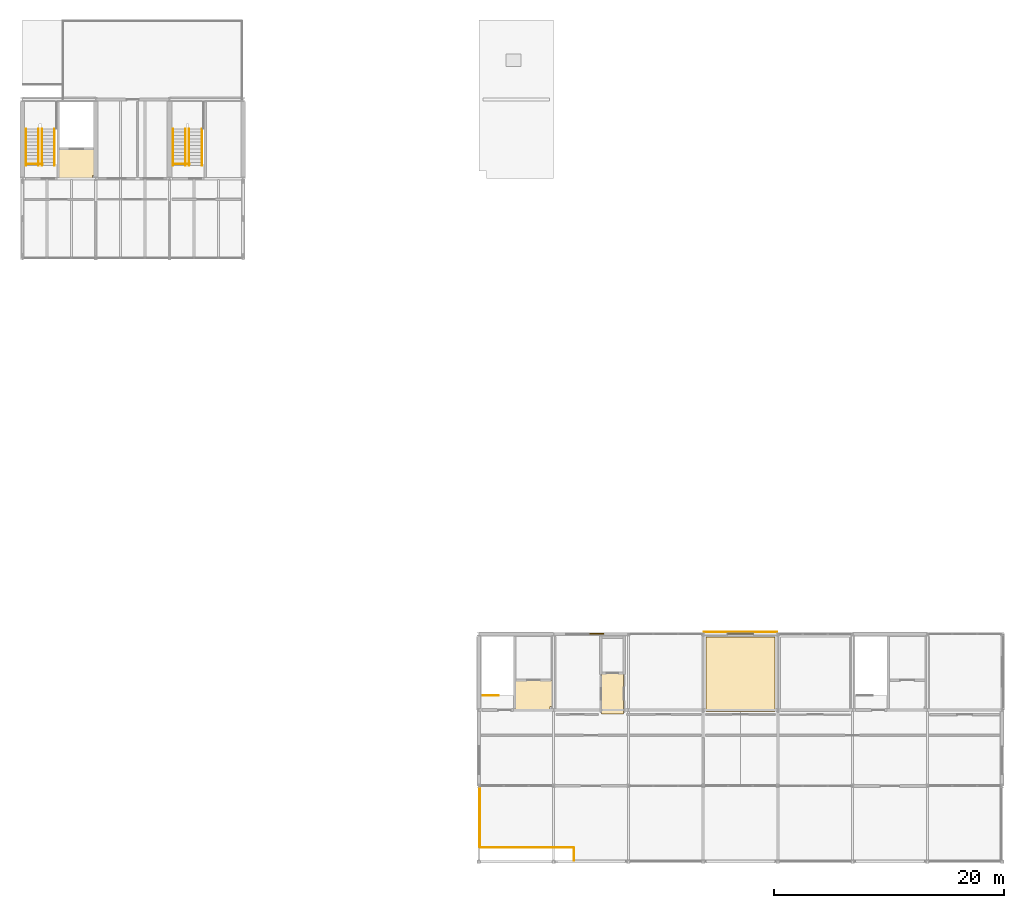
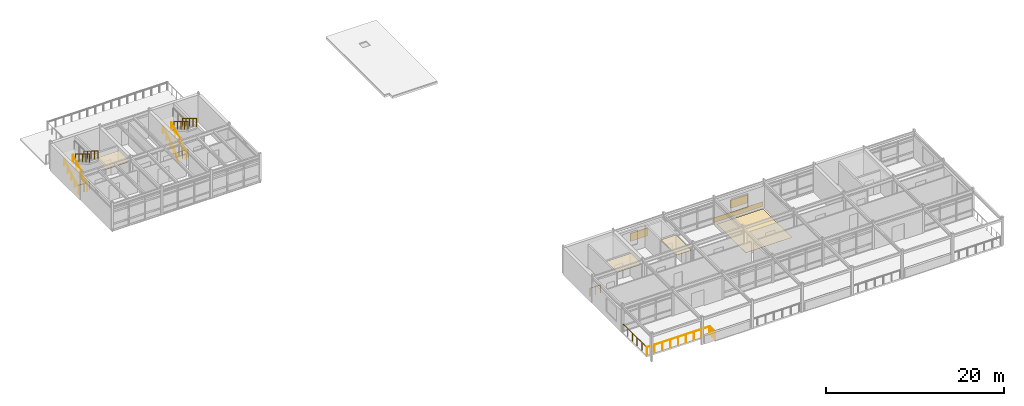
# One storey, part 19 of 20: 14 railings, 5 coverings, 2 shading devices.
"""IFC4 building model written with IfcOpenShell, lengths in metres."""

from ifc_helpers import new_model, si_unit, direction, frame, origin, origin_2d, place, context, subcontext, project, spatial, polyline, rectangle, circle, outline, extrude, material, layer, layer_set, type_object, element, save


model = new_model("IFC4")

# Units and contexts
model_context = context("Model", 3, precision=1e-05, world=origin(), true_north=direction((0.0, 1.0)))
body_context = subcontext(model_context, "Body", "Model", "MODEL_VIEW")
ifc_project = project(units=[si_unit("LENGTHUNIT", "METRE"), si_unit("AREAUNIT", "SQUARE_METRE"), si_unit("VOLUMEUNIT", "CUBIC_METRE"), si_unit("PLANEANGLEUNIT", "RADIAN"), si_unit("MASSUNIT", "GRAM", prefix="KILO")], contexts=[model_context])

# Site, building, storey
site_placement = place(None, origin())
site = spatial("IfcSite", under=ifc_project, at=site_placement, CompositionType="ELEMENT")
building_placement = place(site_placement, origin())
building = spatial("IfcBuilding", under=site, at=building_placement, Name="Trelmorton Wharf Fire Station", CompositionType="ELEMENT")
storey_placement = place(building_placement, frame((0.0, 0.0, 21.300048828125)))
storey = spatial("IfcBuildingStorey", under=building, at=storey_placement, Name="L05", CompositionType="ELEMENT", Elevation=21.300048828125)

# Coverings
ifc_material_1 = material(Name="Mineral fibre acoustic ceiling")
ifc_layer_1 = layer(ifc_material_1, 0.02001953125)
ifc_layer_set_1 = layer_set([ifc_layer_1], Name="Mineral fibre acoustic ceiling")
covering_type_1 = type_object("IfcCoveringType", Name="CV_CEIL_ACOU", PredefinedType="CEILING", material=ifc_layer_set_1)
covering_1_placement = place(storey_placement, frame((0.0, 0.0, 2.97998046875)))
element("IfcCovering", 1, at=covering_1_placement, inside=storey, type_object=covering_type_1, Name="CV-CLG-021", PredefinedType="CEILING", context=body_context, shape_type="SweptSolid", body=[
    extrude(outline(polyline([(113.659912109375, 21.0400390625), (113.659912109375, 23.56005859375), (116.9599609375, 23.56005859375), (116.9599609375, 21.300048828125), (116.699951171875, 21.300048828125), (116.699951171875, 21.0400390625), (113.659912109375, 21.0400390625)])), origin(), (0.0, 0.0, 1.0), 0.02001953125),
])
covering_2_placement = place(storey_placement, frame((0.0, 0.0, 2.97998046875)))
element("IfcCovering", 2, at=covering_2_placement, inside=storey, type_object=covering_type_1, Name="CV-CLG-022", PredefinedType="CEILING", context=body_context, shape_type="SweptSolid", body=[
    extrude(outline(polyline([(123.090087890625, 20.639892578125), (123.090087890625, 24.159912109375), (121.14990234375, 24.159912109375), (121.14990234375, 20.639892578125), (123.090087890625, 20.639892578125)])), origin(), (0.0, 0.0, 1.0), 0.02001953125),
])
covering_3_placement = place(storey_placement, frame((0.0, 0.0, 2.97998046875)))
element("IfcCovering", 3, at=covering_3_placement, inside=storey, type_object=covering_type_1, Name="CV-CLG-039", PredefinedType="CEILING", context=body_context, shape_type="SweptSolid", body=[
    extrude(outline(polyline([(73.9599609375, 67.239990234375), (73.9599609375, 69.760009765625), (77.159912109375, 69.760009765625), (77.159912109375, 67.5), (76.89990234375, 67.5), (76.89990234375, 67.239990234375), (73.9599609375, 67.239990234375)])), origin(), (0.0, 0.0, 1.0), 0.02001953125),
])
ifc_material_2 = material(Name="Architectural terracotta cladding", Category="masonry")
ifc_layer_2 = layer(ifc_material_2, 0.044921875)
ifc_layer_set_2 = layer_set([ifc_layer_2], Name="Architectural terracotta cladding")
covering_type_2 = type_object("IfcCoveringType", Name="CV_CLAD_TER", PredefinedType="CLADDING", material=ifc_layer_set_2)
covering_4_placement = place(storey_placement, frame((133.25, 27.764892578125, 0.02978515625), z_axis=(0.0, 0.0, 1.0), x_axis=(1.0, 0.0, 0.0)))
element("IfcCovering", 4, at=covering_4_placement, inside=storey, type_object=covering_type_2, Name="CV-TER-0019", PredefinedType="CLADDING", context=body_context, shape_type="SweptSolid", body=[
    extrude(rectangle(XDim=6.3701171875, YDim=0.044921875, at=origin_2d()), origin(), (0.0, 0.0, 1.0), 0.659912109375),
])
ifc_material_3 = material(Name="Quarry tile wet-area flooring")
ifc_layer_3 = layer(ifc_material_3, 0.02001953125)
ifc_layer_set_3 = layer_set([ifc_layer_3], Name="Quarry tile wet-area flooring")
covering_type_3 = type_object("IfcCoveringType", Name="CV_FLOR_TILE", PredefinedType="FLOORING", material=ifc_layer_set_3)
covering_5_placement = place(storey_placement, origin())
element("IfcCovering", 5, at=covering_5_placement, inside=storey, type_object=covering_type_3, Name="CV-FLR-018", PredefinedType="FLOORING", context=body_context, shape_type="SweptSolid", body=[
    extrude(outline(polyline([(136.25, 20.85009765625), (136.25, 27.35009765625), (130.25, 27.35009765625), (130.25, 20.85009765625), (136.25, 20.85009765625)])), origin(), (0.0, 0.0, 1.0), 0.02001953125),
])

# Railings
ifc_material_4 = material(Name="Signal-red architectural steel Grade 350", Category="steel")
railing_type_1 = type_object("IfcRailingType", Name="RL_BAL_RED", PredefinedType="BALUSTRADE", material=ifc_material_4)
railing_1_placement = place(storey_placement, frame((110.580078125, 14.360107421875, 0.0)))
element("IfcRailing", 6, at=railing_1_placement, inside=storey, type_object=railing_type_1, Name="RL-DECK-L05-036", PredefinedType="BALUSTRADE", context=body_context, shape_type="SweptSolid", body=[
    extrude(circle(Radius=0.02392578125, at=origin_2d()), frame((0.0, 0.0, 1.09619140625), z_axis=(0.0, -1.0, 0.0), x_axis=(1.0, 0.0, 0.0)), (0.0, 0.0, 1.0), 5.260009765625),
    extrude(circle(Radius=0.02099609375, at=origin_2d()), origin(), (0.0, 0.0, 1.0), 1.072021484375),
    extrude(circle(Radius=0.02099609375, at=origin_2d()), frame((0.0, -1.052001953125, 0.0)), (0.0, 0.0, 1.0), 1.072021484375),
    extrude(circle(Radius=0.02099609375, at=origin_2d()), frame((0.0, -2.10400390625, 0.0)), (0.0, 0.0, 1.0), 1.072021484375),
    extrude(circle(Radius=0.02099609375, at=origin_2d()), frame((0.0, -3.156005859375, 0.0)), (0.0, 0.0, 1.0), 1.072021484375),
    extrude(circle(Radius=0.02099609375, at=origin_2d()), frame((0.0, -4.2080078125, 0.0)), (0.0, 0.0, 1.0), 1.072021484375),
    extrude(circle(Radius=0.02099609375, at=origin_2d()), frame((0.0, -5.260009765625, 0.0)), (0.0, 0.0, 1.0), 1.072021484375),
])
railing_2_placement = place(storey_placement, frame((110.6201171875, 9.06005859375, 0.0)))
element("IfcRailing", 7, at=railing_2_placement, inside=storey, type_object=railing_type_1, Name="RL-DECK-L05-037", PredefinedType="BALUSTRADE", context=body_context, shape_type="SweptSolid", body=[
    extrude(circle(Radius=0.02392578125, at=origin_2d()), frame((0.0, 0.0, 1.09619140625), z_axis=(1.0, 0.0, 0.0), x_axis=(0.0, 1.0, 0.0)), (0.0, 0.0, 1.0), 8.099853515625),
    extrude(circle(Radius=0.02099609375, at=origin_2d()), origin(), (0.0, 0.0, 1.0), 1.072021484375),
    extrude(circle(Radius=0.02099609375, at=origin_2d()), frame((1.012451171875, 0.0, 0.0)), (0.0, 0.0, 1.0), 1.072021484375),
    extrude(circle(Radius=0.02099609375, at=origin_2d()), frame((2.02490234375, 0.0, 0.0)), (0.0, 0.0, 1.0), 1.072021484375),
    extrude(circle(Radius=0.02099609375, at=origin_2d()), frame((3.037353515625, 0.0, 0.0)), (0.0, 0.0, 1.0), 1.072021484375),
    extrude(circle(Radius=0.02099609375, at=origin_2d()), frame((4.0498046875, 0.0, 0.0)), (0.0, 0.0, 1.0), 1.072021484375),
    extrude(circle(Radius=0.02099609375, at=origin_2d()), frame((5.0625, 0.0, 0.0)), (0.0, 0.0, 1.0), 1.072021484375),
    extrude(circle(Radius=0.02099609375, at=origin_2d()), frame((6.074951171875, 0.0, 0.0)), (0.0, 0.0, 1.0), 1.072021484375),
    extrude(circle(Radius=0.02099609375, at=origin_2d()), frame((7.08740234375, 0.0, 0.0)), (0.0, 0.0, 1.0), 1.072021484375),
    extrude(circle(Radius=0.02099609375, at=origin_2d()), frame((8.099853515625, 0.0, 0.0)), (0.0, 0.0, 1.0), 1.072021484375),
])
railing_3_placement = place(storey_placement, frame((118.760009765625, 9.02001953125, 0.0)))
element("IfcRailing", 8, at=railing_3_placement, inside=storey, type_object=railing_type_1, Name="RL-DECK-L05-038", PredefinedType="BALUSTRADE", context=body_context, shape_type="SweptSolid", body=[
    extrude(circle(Radius=0.02392578125, at=origin_2d()), frame((0.0, 0.0, 1.09619140625), z_axis=(0.0, -1.0, 0.0), x_axis=(1.0, 0.0, 0.0)), (0.0, 0.0, 1.0), 1.10009765625),
    extrude(circle(Radius=0.02099609375, at=origin_2d()), origin(), (0.0, 0.0, 1.0), 1.072021484375),
    extrude(circle(Radius=0.02099609375, at=origin_2d()), frame((0.0, -0.550048828125, 0.0)), (0.0, 0.0, 1.0), 1.072021484375),
    extrude(circle(Radius=0.02099609375, at=origin_2d()), frame((0.0, -1.10009765625, 0.0)), (0.0, 0.0, 1.0), 1.072021484375),
])
ifc_material_5 = material(Name="Stainless steel 316 marine grade", Category="steel")
railing_type_2 = type_object("IfcRailingType", Name="RL_HAND_900", PredefinedType="HANDRAIL", material=ifc_material_5)
for number, where, name in (
    (9, (71.110107421875, 68.340087890625, 0.0), "RL-HR1-STR-C6-L05-26"),
    (10, (83.909912109375, 68.340087890625, 0.0), "RL-HR1-STR-C6B-L05-32"),
):
    element("IfcRailing", number, at=place(storey_placement, frame(where)), inside=storey, type_object=railing_type_2, Name=name, PredefinedType="HANDRAIL", context=body_context, shape_type="SweptSolid", body=[
        extrude(circle(Radius=0.02099609375, at=origin_2d()), frame((0.0, 0.0, 0.87890625), z_axis=(0.0, 0.853217260254, 0.521555660313), x_axis=(-1.0, 0.0, 0.0)), (0.0, 0.0, 1.0), 3.73876953125),
        extrude(circle(Radius=0.02099609375, at=origin_2d()), origin(), (0.0, 0.0, 1.0), 0.85791015625),
        extrude(circle(Radius=0.02099609375, at=origin_2d()), frame((0.0, 0.79736328125, 0.487548828125)), (0.0, 0.0, 1.0), 0.85791015625),
        extrude(circle(Radius=0.02099609375, at=origin_2d()), frame((0.0, 1.594970703125, 0.97509765625)), (0.0, 0.0, 1.0), 0.85791015625),
        extrude(circle(Radius=0.02099609375, at=origin_2d()), frame((0.0, 2.392578125, 1.46240234375)), (0.0, 0.0, 1.0), 0.85791015625),
        extrude(circle(Radius=0.02099609375, at=origin_2d()), frame((0.0, 3.18994140625, 1.949951171875)), (0.0, 0.0, 1.0), 0.85791015625),
    ])
railing_type_3 = type_object("IfcRailingType", Name="RL_WELL_1100", PredefinedType="BALUSTRADE", material=ifc_material_5)
railing_4_placement = place(storey_placement, frame((110.860107421875, 22.260009765625, 0.0)))
element("IfcRailing", 11, at=railing_4_placement, inside=storey, type_object=railing_type_3, Name="RL-UPWELL-STR-C3-L04-12", PredefinedType="BALUSTRADE", context=body_context, shape_type="SweptSolid", body=[
    extrude(circle(Radius=0.02392578125, at=origin_2d()), frame((0.0, 0.0, 1.09619140625), z_axis=(1.0, 0.0, 0.0), x_axis=(0.0, 1.0, 0.0)), (0.0, 0.0, 1.0), 1.33984375),
    extrude(circle(Radius=0.02099609375, at=origin_2d()), origin(), (0.0, 0.0, 1.0), 1.072021484375),
    extrude(circle(Radius=0.02099609375, at=origin_2d()), frame((0.669921875, 0.0, 0.0)), (0.0, 0.0, 1.0), 1.072021484375),
    extrude(circle(Radius=0.02099609375, at=origin_2d()), frame((1.33984375, 0.0, 0.0)), (0.0, 0.0, 1.0), 1.072021484375),
])
railing_5_placement = place(storey_placement, frame((71.159912109375, 68.4599609375, 0.0)))
element("IfcRailing", 12, at=railing_5_placement, inside=storey, type_object=railing_type_3, Name="RL-UPWELL-STR-C6-L04-25", PredefinedType="BALUSTRADE", context=body_context, shape_type="SweptSolid", body=[
    extrude(circle(Radius=0.02392578125, at=origin_2d()), frame((0.0, 0.0, 1.09619140625), z_axis=(1.0, 0.0, 0.0), x_axis=(0.0, 1.0, 0.0)), (0.0, 0.0, 1.0), 1.380126953125),
    extrude(circle(Radius=0.02099609375, at=origin_2d()), origin(), (0.0, 0.0, 1.0), 1.072021484375),
    extrude(circle(Radius=0.02099609375, at=origin_2d()), frame((0.68994140625, 0.0, 0.0)), (0.0, 0.0, 1.0), 1.072021484375),
    extrude(circle(Radius=0.02099609375, at=origin_2d()), frame((1.380126953125, 0.0, 0.0)), (0.0, 0.0, 1.0), 1.072021484375),
])
railing_6_placement = place(storey_placement, frame((73.610107421875, 71.530029296875, 1.949951171875)))
element("IfcRailing", 13, at=railing_6_placement, inside=storey, type_object=railing_type_3, Name="RL-GW-OUT2-STR-C6-L05-26", PredefinedType="BALUSTRADE", context=body_context, shape_type="SweptSolid", body=[
    extrude(circle(Radius=0.02392578125, at=origin_2d()), frame((0.0, 0.0, 1.09619140625), z_axis=(0.0, -0.853217260254, 0.521555660313), x_axis=(1.0, 0.0, 0.0)), (0.0, 0.0, 1.0), 3.73876953125),
    extrude(circle(Radius=0.02099609375, at=origin_2d()), origin(), (0.0, 0.0, 1.0), 1.072021484375),
    extrude(circle(Radius=0.02099609375, at=origin_2d()), frame((0.0, -0.79736328125, 0.487548828125)), (0.0, 0.0, 1.0), 1.072021484375),
    extrude(circle(Radius=0.02099609375, at=origin_2d()), frame((0.0, -1.594970703125, 0.97509765625)), (0.0, 0.0, 1.0), 1.072021484375),
    extrude(circle(Radius=0.02099609375, at=origin_2d()), frame((0.0, -2.392578125, 1.46240234375)), (0.0, 0.0, 1.0), 1.072021484375),
    extrude(circle(Radius=0.02099609375, at=origin_2d()), frame((0.0, -3.18994140625, 1.949951171875)), (0.0, 0.0, 1.0), 1.072021484375),
])
railing_7_placement = place(storey_placement, frame((72.2099609375, 68.340087890625, 0.0)))
element("IfcRailing", 14, at=railing_7_placement, inside=storey, type_object=railing_type_3, Name="RL-GW-IN1-STR-C6-L05-26", PredefinedType="BALUSTRADE", context=body_context, shape_type="SweptSolid", body=[
    extrude(circle(Radius=0.02392578125, at=origin_2d()), frame((0.0, 0.0, 1.09619140625), z_axis=(0.0, 0.853217260254, 0.521555660313), x_axis=(-1.0, 0.0, 0.0)), (0.0, 0.0, 1.0), 3.73876953125),
    extrude(circle(Radius=0.02099609375, at=origin_2d()), origin(), (0.0, 0.0, 1.0), 1.072021484375),
    extrude(circle(Radius=0.02099609375, at=origin_2d()), frame((0.0, 0.79736328125, 0.487548828125)), (0.0, 0.0, 1.0), 1.072021484375),
    extrude(circle(Radius=0.02099609375, at=origin_2d()), frame((0.0, 1.594970703125, 0.97509765625)), (0.0, 0.0, 1.0), 1.072021484375),
    extrude(circle(Radius=0.02099609375, at=origin_2d()), frame((0.0, 2.392578125, 1.46240234375)), (0.0, 0.0, 1.0), 1.072021484375),
    extrude(circle(Radius=0.02099609375, at=origin_2d()), frame((0.0, 3.18994140625, 1.949951171875)), (0.0, 0.0, 1.0), 1.072021484375),
])
railing_8_placement = place(storey_placement, frame((72.510009765625, 71.530029296875, 1.949951171875)))
element("IfcRailing", 15, at=railing_8_placement, inside=storey, type_object=railing_type_3, Name="RL-GW-IN2-STR-C6-L05-26", PredefinedType="BALUSTRADE", context=body_context, shape_type="SweptSolid", body=[
    extrude(circle(Radius=0.02392578125, at=origin_2d()), frame((0.0, 0.0, 1.09619140625), z_axis=(0.0, -0.853217260254, 0.521555660313), x_axis=(1.0, 0.0, 0.0)), (0.0, 0.0, 1.0), 3.73876953125),
    extrude(circle(Radius=0.02099609375, at=origin_2d()), origin(), (0.0, 0.0, 1.0), 1.072021484375),
    extrude(circle(Radius=0.02099609375, at=origin_2d()), frame((0.0, -0.79736328125, 0.487548828125)), (0.0, 0.0, 1.0), 1.072021484375),
    extrude(circle(Radius=0.02099609375, at=origin_2d()), frame((0.0, -1.594970703125, 0.97509765625)), (0.0, 0.0, 1.0), 1.072021484375),
    extrude(circle(Radius=0.02099609375, at=origin_2d()), frame((0.0, -2.392578125, 1.46240234375)), (0.0, 0.0, 1.0), 1.072021484375),
    extrude(circle(Radius=0.02099609375, at=origin_2d()), frame((0.0, -3.18994140625, 1.949951171875)), (0.0, 0.0, 1.0), 1.072021484375),
])
railing_9_placement = place(storey_placement, frame((83.9599609375, 68.4599609375, 0.0)))
element("IfcRailing", 16, at=railing_9_placement, inside=storey, type_object=railing_type_3, Name="RL-UPWELL-STR-C6B-L04-31", PredefinedType="BALUSTRADE", context=body_context, shape_type="SweptSolid", body=[
    extrude(circle(Radius=0.02392578125, at=origin_2d()), frame((0.0, 0.0, 1.09619140625), z_axis=(1.0, 0.0, 0.0), x_axis=(0.0, 1.0, 0.0)), (0.0, 0.0, 1.0), 1.380126953125),
    extrude(circle(Radius=0.02099609375, at=origin_2d()), origin(), (0.0, 0.0, 1.0), 1.072021484375),
    extrude(circle(Radius=0.02099609375, at=origin_2d()), frame((0.68994140625, 0.0, 0.0)), (0.0, 0.0, 1.0), 1.072021484375),
    extrude(circle(Radius=0.02099609375, at=origin_2d()), frame((1.380126953125, 0.0, 0.0)), (0.0, 0.0, 1.0), 1.072021484375),
])
railing_10_placement = place(storey_placement, frame((86.409912109375, 71.530029296875, 1.949951171875)))
element("IfcRailing", 17, at=railing_10_placement, inside=storey, type_object=railing_type_3, Name="RL-GW-OUT2-STR-C6B-L05-32", PredefinedType="BALUSTRADE", context=body_context, shape_type="SweptSolid", body=[
    extrude(circle(Radius=0.02392578125, at=origin_2d()), frame((0.0, 0.0, 1.09619140625), z_axis=(0.0, -0.853217260254, 0.521555660313), x_axis=(1.0, 0.0, 0.0)), (0.0, 0.0, 1.0), 3.73876953125),
    extrude(circle(Radius=0.02099609375, at=origin_2d()), origin(), (0.0, 0.0, 1.0), 1.072021484375),
    extrude(circle(Radius=0.02099609375, at=origin_2d()), frame((0.0, -0.79736328125, 0.487548828125)), (0.0, 0.0, 1.0), 1.072021484375),
    extrude(circle(Radius=0.02099609375, at=origin_2d()), frame((0.0, -1.594970703125, 0.97509765625)), (0.0, 0.0, 1.0), 1.072021484375),
    extrude(circle(Radius=0.02099609375, at=origin_2d()), frame((0.0, -2.392578125, 1.46240234375)), (0.0, 0.0, 1.0), 1.072021484375),
    extrude(circle(Radius=0.02099609375, at=origin_2d()), frame((0.0, -3.18994140625, 1.949951171875)), (0.0, 0.0, 1.0), 1.072021484375),
])
railing_11_placement = place(storey_placement, frame((85.010009765625, 68.340087890625, 0.0)))
element("IfcRailing", 18, at=railing_11_placement, inside=storey, type_object=railing_type_3, Name="RL-GW-IN1-STR-C6B-L05-32", PredefinedType="BALUSTRADE", context=body_context, shape_type="SweptSolid", body=[
    extrude(circle(Radius=0.02392578125, at=origin_2d()), frame((0.0, 0.0, 1.09619140625), z_axis=(0.0, 0.853217260254, 0.521555660313), x_axis=(-1.0, 0.0, 0.0)), (0.0, 0.0, 1.0), 3.73876953125),
    extrude(circle(Radius=0.02099609375, at=origin_2d()), origin(), (0.0, 0.0, 1.0), 1.072021484375),
    extrude(circle(Radius=0.02099609375, at=origin_2d()), frame((0.0, 0.79736328125, 0.487548828125)), (0.0, 0.0, 1.0), 1.072021484375),
    extrude(circle(Radius=0.02099609375, at=origin_2d()), frame((0.0, 1.594970703125, 0.97509765625)), (0.0, 0.0, 1.0), 1.072021484375),
    extrude(circle(Radius=0.02099609375, at=origin_2d()), frame((0.0, 2.392578125, 1.46240234375)), (0.0, 0.0, 1.0), 1.072021484375),
    extrude(circle(Radius=0.02099609375, at=origin_2d()), frame((0.0, 3.18994140625, 1.949951171875)), (0.0, 0.0, 1.0), 1.072021484375),
])
railing_12_placement = place(storey_placement, frame((85.31005859375, 71.530029296875, 1.949951171875)))
element("IfcRailing", 19, at=railing_12_placement, inside=storey, type_object=railing_type_3, Name="RL-GW-IN2-STR-C6B-L05-32", PredefinedType="BALUSTRADE", context=body_context, shape_type="SweptSolid", body=[
    extrude(circle(Radius=0.02392578125, at=origin_2d()), frame((0.0, 0.0, 1.09619140625), z_axis=(0.0, -0.853217260254, 0.521555660313), x_axis=(1.0, 0.0, 0.0)), (0.0, 0.0, 1.0), 3.73876953125),
    extrude(circle(Radius=0.02099609375, at=origin_2d()), origin(), (0.0, 0.0, 1.0), 1.072021484375),
    extrude(circle(Radius=0.02099609375, at=origin_2d()), frame((0.0, -0.79736328125, 0.487548828125)), (0.0, 0.0, 1.0), 1.072021484375),
    extrude(circle(Radius=0.02099609375, at=origin_2d()), frame((0.0, -1.594970703125, 0.97509765625)), (0.0, 0.0, 1.0), 1.072021484375),
    extrude(circle(Radius=0.02099609375, at=origin_2d()), frame((0.0, -2.392578125, 1.46240234375)), (0.0, 0.0, 1.0), 1.072021484375),
    extrude(circle(Radius=0.02099609375, at=origin_2d()), frame((0.0, -3.18994140625, 1.949951171875)), (0.0, 0.0, 1.0), 1.072021484375),
])

# Shading devices
ifc_material_6 = material(Name="Anodised aluminium AW-6063", Category="aluminium")
ifc_layer_4 = layer(ifc_material_6, 0.090087890625)
ifc_layer_set_4 = layer_set([ifc_layer_4], Name="Anodised aluminium AW-6063")
shading_device_type = type_object("IfcShadingDeviceType", Name="SH_JALOUSIE", PredefinedType="JALOUSIE", material=ifc_layer_set_4)
for number, where, z_axis, x_axis, name in (
    (20, (120.25, 27.6298828125, 1.349853515625), (0.0, 0.0, 1.0), (1.0, 0.0, 0.0), "SH-JL-024"),
    (21, (133.25, 27.6298828125, 1.349853515625), (0.0, 0.0, 1.0), (1.0, 0.0, 0.0), "SH-JL-025"),
):
    element("IfcShadingDevice", number, at=place(storey_placement, frame(where, z_axis=z_axis, x_axis=x_axis)), inside=storey, type_object=shading_device_type, Name=name, PredefinedType="JALOUSIE", context=body_context, shape_type="SweptSolid", body=[
        extrude(rectangle(XDim=2.199951171875, YDim=0.090087890625, at=origin_2d()), origin(), (0.0, 0.0, 1.0), 1.10009765625),
    ])

save(model, "model.ifc")
